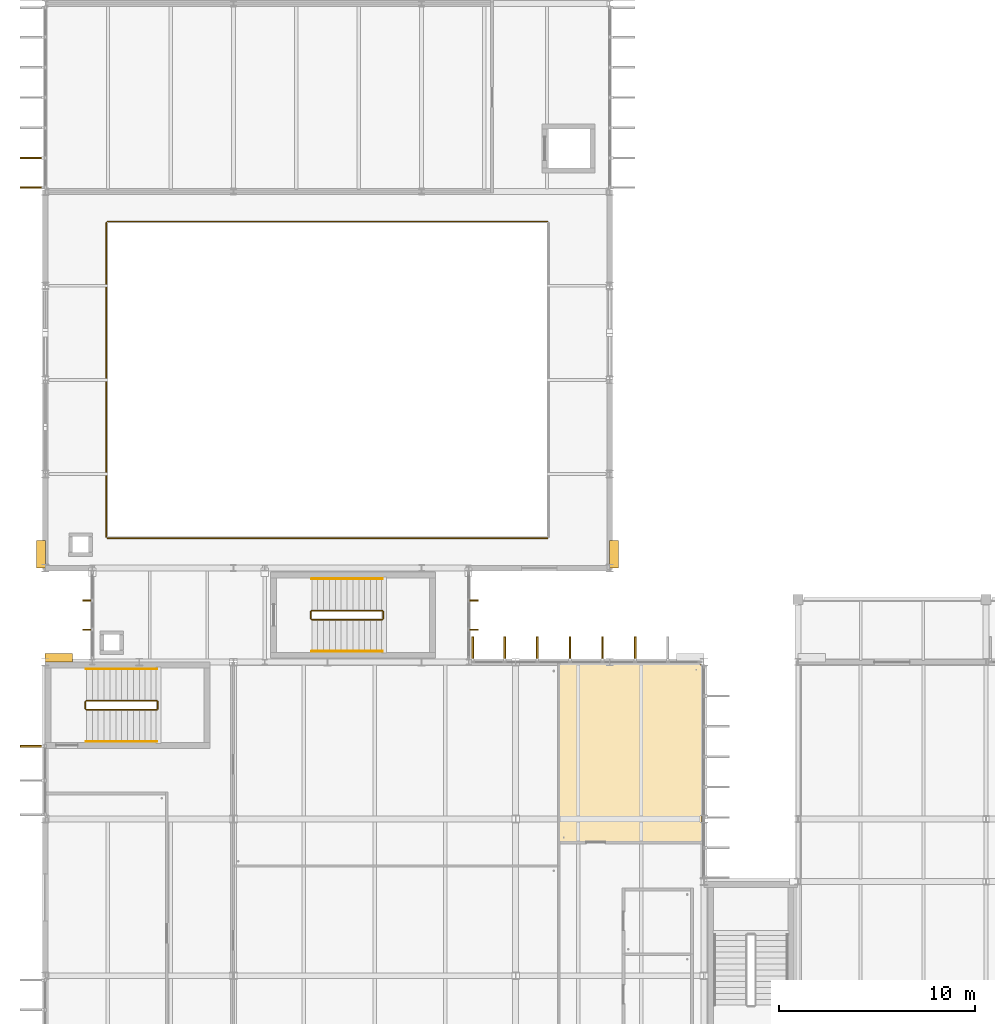
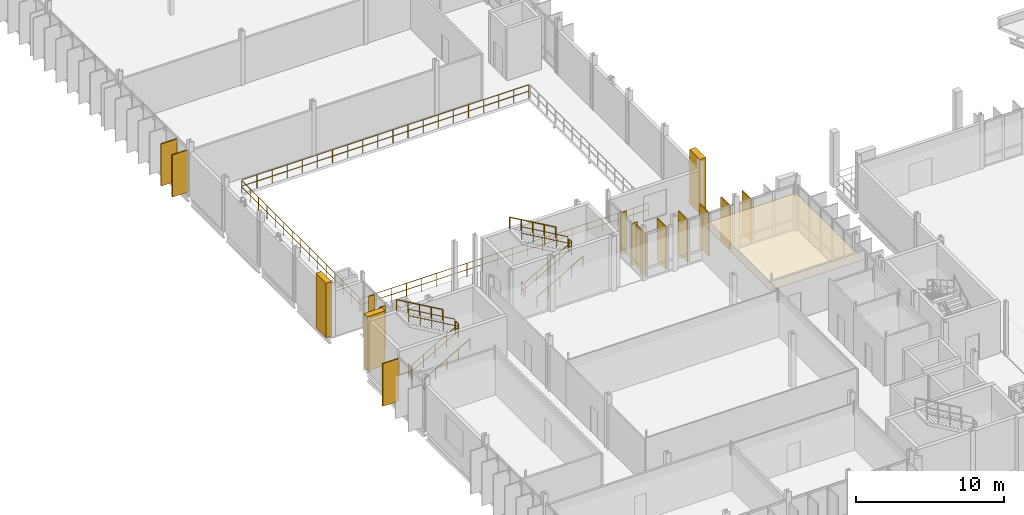
# One storey, part 100 of 107: 15 railings, 13 coverings, 4 shading devices.
"""IFC4 building model written with IfcOpenShell, lengths in metres."""

from ifc_helpers import new_model, si_unit, direction, frame, origin, origin_2d, place, context, subcontext, project, spatial, polyline, rectangle, circle, outline, extrude, material, layer, layer_set, type_object, element, save


model = new_model("IFC4")

# Units and contexts
model_context = context("Model", 3, precision=1e-05, world=origin(), true_north=direction((0.0, 1.0)))
body_context = subcontext(model_context, "Body", "Model", "MODEL_VIEW")
ifc_project = project(units=[si_unit("LENGTHUNIT", "METRE"), si_unit("AREAUNIT", "SQUARE_METRE"), si_unit("VOLUMEUNIT", "CUBIC_METRE"), si_unit("PLANEANGLEUNIT", "RADIAN"), si_unit("MASSUNIT", "GRAM", prefix="KILO")], contexts=[model_context])

# Site, building, storey
site_placement = place(None, origin())
site = spatial("IfcSite", under=ifc_project, at=site_placement, CompositionType="ELEMENT")
building_placement = place(site_placement, origin())
building = spatial("IfcBuilding", under=site, at=building_placement, Name="Dunescarp Central Library", CompositionType="ELEMENT")
storey_placement = place(building_placement, frame((0.0, 0.0, 5.10009765625)))
storey = spatial("IfcBuildingStorey", under=building, at=storey_placement, Name="L01", CompositionType="ELEMENT", Elevation=5.10009765625)

# Coverings
ifc_material_1 = material(Name="Mineral-fibre acoustic ceiling tile")
ifc_layer_1 = layer(ifc_material_1, 0.0400390625)
ifc_layer_set_1 = layer_set([ifc_layer_1], Name="Mineral-fibre acoustic ceiling tile")
covering_type_1 = type_object("IfcCoveringType", Name="ARC-COV-CEIL40", PredefinedType="CEILING", material=ifc_layer_set_1)
covering_1_placement = place(storey_placement, frame((0.0, 0.0, 3.0498046875)))
element("IfcCovering", 1, at=covering_1_placement, inside=storey, type_object=covering_type_1, Name="L01 ceiling Bibliographic Cataloguing Workroom", PredefinedType="CEILING", context=body_context, shape_type="SweptSolid", body=[
    extrude(outline(polyline([(26.179931640625, 27.580078125), (33.47998046875, 27.580078125), (33.47998046875, 36.679931640625), (26.179931640625, 36.679931640625), (26.179931640625, 27.580078125)])), origin(), (0.0, 0.0, 1.0), 0.0400390625),
])
ifc_material_2 = material(Name="Glass-fibre reinforced concrete GRC", Category="concrete")
ifc_layer_2 = layer(ifc_material_2, 0.090087890625)
ifc_layer_set_2 = layer_set([ifc_layer_2], Name="Glass-fibre reinforced concrete GRC")
covering_type_2 = type_object("IfcCoveringType", Name="ARC-COV-FIN1250", PredefinedType="CLADDING", material=ifc_layer_set_2)
covering_2_placement = place(storey_placement, frame((21.81494140625, 37.4619140625, 0.166748046875), z_axis=(0.0, 0.0, 1.0), x_axis=(0.0, 1.0, 0.0)))
element("IfcCovering", 2, at=covering_2_placement, inside=storey, type_object=covering_type_2, Name="L01 parametric vertical facade fin FIN-L01-0050", PredefinedType="CLADDING", context=body_context, shape_type="SweptSolid", body=[
    extrude(rectangle(XDim=1.25, YDim=0.090087890625, at=origin_2d()), origin(), (0.0, 0.0, 1.0), 3.51806640625),
])
covering_3_placement = place(storey_placement, frame((23.43896484375, 37.4619140625, 0.180419921875), z_axis=(0.0, 0.0, 1.0), x_axis=(0.0, 1.0, 0.0)))
element("IfcCovering", 3, at=covering_3_placement, inside=storey, type_object=covering_type_2, Name="L01 parametric vertical facade fin FIN-L01-0051", PredefinedType="CLADDING", context=body_context, shape_type="SweptSolid", body=[
    extrude(rectangle(XDim=1.25, YDim=0.090087890625, at=origin_2d()), origin(), (0.0, 0.0, 1.0), 3.5048828125),
])
covering_4_placement = place(storey_placement, frame((25.10400390625, 37.4619140625, 0.163330078125), z_axis=(0.0, 0.0, 1.0), x_axis=(0.0, 1.0, 0.0)))
element("IfcCovering", 4, at=covering_4_placement, inside=storey, type_object=covering_type_2, Name="L01 parametric vertical facade fin FIN-L01-0052", PredefinedType="CLADDING", context=body_context, shape_type="SweptSolid", body=[
    extrude(rectangle(XDim=1.25, YDim=0.090087890625, at=origin_2d()), origin(), (0.0, 0.0, 1.0), 3.52099609375),
])
covering_5_placement = place(storey_placement, frame((26.76806640625, 37.4619140625, 0.122802734375), z_axis=(0.0, 0.0, 1.0), x_axis=(0.0, 1.0, 0.0)))
element("IfcCovering", 5, at=covering_5_placement, inside=storey, type_object=covering_type_2, Name="L01 parametric vertical facade fin FIN-L01-0053", PredefinedType="CLADDING", context=body_context, shape_type="SweptSolid", body=[
    extrude(rectangle(XDim=1.25, YDim=0.090087890625, at=origin_2d()), origin(), (0.0, 0.0, 1.0), 3.56201171875),
])
covering_6_placement = place(storey_placement, frame((28.431884765625, 37.4619140625, 0.080078125), z_axis=(0.0, 0.0, 1.0), x_axis=(0.0, 1.0, 0.0)))
element("IfcCovering", 6, at=covering_6_placement, inside=storey, type_object=covering_type_2, Name="L01 parametric vertical facade fin FIN-L01-0054", PredefinedType="CLADDING", context=body_context, shape_type="SweptSolid", body=[
    extrude(rectangle(XDim=1.25, YDim=0.090087890625, at=origin_2d()), origin(), (0.0, 0.0, 1.0), 3.593994140625),
])
covering_7_placement = place(storey_placement, frame((30.095947265625, 37.4619140625, 0.079833984375), z_axis=(0.0, 0.0, 1.0), x_axis=(0.0, 1.0, 0.0)))
element("IfcCovering", 7, at=covering_7_placement, inside=storey, type_object=covering_type_2, Name="L01 parametric vertical facade fin FIN-L01-0055", PredefinedType="CLADDING", context=body_context, shape_type="SweptSolid", body=[
    extrude(rectangle(XDim=1.25, YDim=0.090087890625, at=origin_2d()), origin(), (0.0, 0.0, 1.0), 3.5439453125),
])
covering_8_placement = place(storey_placement, frame((-0.662109375, 32.510009765625, 0.163330078125), z_axis=(0.0, 0.0, 1.0), x_axis=(-1.0, 0.0, 0.0)))
element("IfcCovering", 8, at=covering_8_placement, inside=storey, type_object=covering_type_2, Name="L01 parametric vertical facade fin FIN-L01-0069", PredefinedType="CLADDING", context=body_context, shape_type="SweptSolid", body=[
    extrude(rectangle(XDim=1.25, YDim=0.090087890625, at=origin_2d()), origin(), (0.0, 0.0, 1.0), 3.52099609375),
])
covering_9_placement = place(storey_placement, frame((-0.662109375, 61.014892578125, 0.16748046875), z_axis=(0.0, 0.0, 1.0), x_axis=(-1.0, 0.0, 0.0)))
element("IfcCovering", 9, at=covering_9_placement, inside=storey, type_object=covering_type_2, Name="L01 parametric vertical facade fin FIN-L01-0783", PredefinedType="CLADDING", context=body_context, shape_type="SweptSolid", body=[
    extrude(rectangle(XDim=1.25, YDim=0.090087890625, at=origin_2d()), origin(), (0.0, 0.0, 1.0), 3.485107421875),
])
covering_10_placement = place(storey_placement, frame((-0.662109375, 62.51708984375, 0.18017578125), z_axis=(0.0, 0.0, 1.0), x_axis=(-1.0, 0.0, 0.0)))
element("IfcCovering", 10, at=covering_10_placement, inside=storey, type_object=covering_type_2, Name="L01 parametric vertical facade fin FIN-L01-0784", PredefinedType="CLADDING", context=body_context, shape_type="SweptSolid", body=[
    extrude(rectangle(XDim=1.25, YDim=0.090087890625, at=origin_2d()), origin(), (0.0, 0.0, 1.0), 3.471923828125),
])
ifc_layer_3 = layer(ifc_material_2, 0.449951171875)
ifc_layer_set_3 = layer_set([ifc_layer_3], Name="Glass-fibre reinforced concrete GRC")
covering_type_3 = type_object("IfcCoveringType", Name="ARC-COV-PORTAL", PredefinedType="CLADDING", material=ifc_layer_set_3)
for number, where, z_axis, x_axis, name in (
    (11, (-0.219970703125, 42.300048828125, 0.0), (0.0, 0.0, 1.0), (1.0, 0.0, 0.0), "V4 sculpted GRC portal pier PRT-BAND-V4-067"),
    (12, (29.02001953125, 42.300048828125, 0.0), (0.0, 0.0, 1.0), (1.0, 0.0, 0.0), "V4 sculpted GRC portal pier PRT-BAND-V4-068"),
):
    element("IfcCovering", number, at=place(storey_placement, frame(where, z_axis=z_axis, x_axis=x_axis)), inside=storey, type_object=covering_type_3, Name=name, PredefinedType="CLADDING", context=body_context, shape_type="SweptSolid", body=[
        extrude(rectangle(XDim=0.449951171875, YDim=1.39990234375, at=origin_2d()), origin(), (0.0, 0.0, 1.0), 4.5),
    ])
covering_11_placement = place(storey_placement, frame((0.699951171875, 37.02001953125, 0.0), z_axis=(0.0, 0.0, 1.0), x_axis=(1.0, 0.0, 0.0)))
element("IfcCovering", 13, at=covering_11_placement, inside=storey, type_object=covering_type_3, Name="V1 sculpted GRC portal pier PRT-BAND-V1-086", PredefinedType="CLADDING", context=body_context, shape_type="SweptSolid", body=[
    extrude(rectangle(XDim=1.39990234375, YDim=0.449951171875, at=origin_2d()), origin(), (0.0, 0.0, 1.0), 4.5),
])

# Railings
ifc_material_3 = material(Name="Stainless steel Grade 316L", Category="steel")
railing_type_1 = type_object("IfcRailingType", Name="ARC-RL-GUARD", PredefinedType="GUARDRAIL", material=ifc_material_3)
railing_1_placement = place(storey_placement, frame((2.10009765625, 34.3701171875, 0.173095703125)))
element("IfcRailing", 14, at=railing_1_placement, inside=storey, type_object=railing_type_1, Name="L01 ST-6 stair guard 1", PredefinedType="GUARDRAIL", context=body_context, shape_type="SweptSolid", body=[
    extrude(circle(Radius=0.02392578125, at=origin_2d()), frame((0.0, 0.0, 1.076171875), z_axis=(0.866178740119, 0.0, 0.499734319579), x_axis=(0.0, 1.0, 0.0)), (0.0, 0.0, 1.0), 4.156005859375),
    extrude(circle(Radius=0.02392578125, at=origin_2d()), frame((0.0, 0.0, 0.550048828125), z_axis=(0.866178740119, 0.0, 0.499734319579), x_axis=(0.0, 1.0, 0.0)), (0.0, 0.0, 1.0), 4.156005859375),
    extrude(circle(Radius=0.02099609375, at=origin_2d()), origin(), (0.0, 0.0, 1.0), 1.052001953125),
    extrude(circle(Radius=0.02099609375, at=origin_2d()), frame((0.89990234375, 0.0, 0.519287109375)), (0.0, 0.0, 1.0), 1.052001953125),
    extrude(circle(Radius=0.02099609375, at=origin_2d()), frame((1.7998046875, 0.0, 1.03857421875)), (0.0, 0.0, 1.0), 1.052001953125),
    extrude(circle(Radius=0.02099609375, at=origin_2d()), frame((2.699951171875, 0.0, 1.5576171875)), (0.0, 0.0, 1.0), 1.052001953125),
    extrude(circle(Radius=0.02099609375, at=origin_2d()), frame((3.599853515625, 0.0, 2.076904296875)), (0.0, 0.0, 1.0), 1.052001953125),
])
railing_2_placement = place(storey_placement, frame((5.75, 34.419921875, 2.25)))
element("IfcRailing", 15, at=railing_2_placement, inside=storey, type_object=railing_type_1, Name="L01 ST-6 stair guard 2", PredefinedType="GUARDRAIL", context=body_context, shape_type="SweptSolid", body=[
    extrude(circle(Radius=0.02392578125, at=origin_2d()), frame((0.0, 0.0, 1.076171875), z_axis=(0.0, 1.0, 0.0), x_axis=(-1.0, 0.0, 0.0)), (0.0, 0.0, 1.0), 0.360107421875),
    extrude(circle(Radius=0.02392578125, at=origin_2d()), frame((0.0, 0.0, 0.550048828125), z_axis=(0.0, 1.0, 0.0), x_axis=(-1.0, 0.0, 0.0)), (0.0, 0.0, 1.0), 0.360107421875),
    extrude(circle(Radius=0.02099609375, at=origin_2d()), origin(), (0.0, 0.0, 1.0), 1.052001953125),
    extrude(circle(Radius=0.02099609375, at=origin_2d()), frame((0.0, 0.360107421875, 0.0)), (0.0, 0.0, 1.0), 1.052001953125),
])
railing_3_placement = place(storey_placement, frame((5.699951171875, 34.830078125, 2.423095703125)))
element("IfcRailing", 16, at=railing_3_placement, inside=storey, type_object=railing_type_1, Name="L01 ST-6 stair guard 3", PredefinedType="GUARDRAIL", context=body_context, shape_type="SweptSolid", body=[
    extrude(circle(Radius=0.02392578125, at=origin_2d()), frame((0.0, 0.0, 1.076171875), z_axis=(-0.866178740119, 0.0, 0.499734319579), x_axis=(0.0, -1.0, 0.0)), (0.0, 0.0, 1.0), 4.156005859375),
    extrude(circle(Radius=0.02392578125, at=origin_2d()), frame((0.0, 0.0, 0.550048828125), z_axis=(-0.866178740119, 0.0, 0.499734319579), x_axis=(0.0, -1.0, 0.0)), (0.0, 0.0, 1.0), 4.156005859375),
    extrude(circle(Radius=0.02099609375, at=origin_2d()), origin(), (0.0, 0.0, 1.0), 1.052001953125),
    extrude(circle(Radius=0.02099609375, at=origin_2d()), frame((-0.89990234375, 0.0, 0.519287109375)), (0.0, 0.0, 1.0), 1.052001953125),
    extrude(circle(Radius=0.02099609375, at=origin_2d()), frame((-1.7998046875, 0.0, 1.03857421875)), (0.0, 0.0, 1.0), 1.052001953125),
    extrude(circle(Radius=0.02099609375, at=origin_2d()), frame((-2.699951171875, 0.0, 1.5576171875)), (0.0, 0.0, 1.0), 1.052001953125),
    extrude(circle(Radius=0.02099609375, at=origin_2d()), frame((-3.599853515625, 0.0, 2.076904296875)), (0.0, 0.0, 1.0), 1.052001953125),
])
railing_4_placement = place(storey_placement, frame((2.050048828125, 34.419921875, 0.0)))
element("IfcRailing", 17, at=railing_4_placement, inside=storey, type_object=railing_type_1, Name="L01 ST-6 stair guard 4", PredefinedType="GUARDRAIL", context=body_context, shape_type="SweptSolid", body=[
    extrude(circle(Radius=0.02392578125, at=origin_2d()), frame((0.0, 0.0, 1.076171875), z_axis=(0.0, 1.0, 0.0), x_axis=(-1.0, 0.0, 0.0)), (0.0, 0.0, 1.0), 0.360107421875),
    extrude(circle(Radius=0.02392578125, at=origin_2d()), frame((0.0, 0.0, 0.550048828125), z_axis=(0.0, 1.0, 0.0), x_axis=(-1.0, 0.0, 0.0)), (0.0, 0.0, 1.0), 0.360107421875),
    extrude(circle(Radius=0.02099609375, at=origin_2d()), origin(), (0.0, 0.0, 1.0), 1.052001953125),
    extrude(circle(Radius=0.02099609375, at=origin_2d()), frame((0.0, 0.360107421875, 0.0)), (0.0, 0.0, 1.0), 1.052001953125),
])
railing_5_placement = place(storey_placement, frame((13.60009765625, 38.969970703125, 0.173095703125)))
element("IfcRailing", 18, at=railing_5_placement, inside=storey, type_object=railing_type_1, Name="L01 ST-4 stair guard 1", PredefinedType="GUARDRAIL", context=body_context, shape_type="SweptSolid", body=[
    extrude(circle(Radius=0.02392578125, at=origin_2d()), frame((0.0, 0.0, 1.076171875), z_axis=(0.866178740119, 0.0, 0.499734319579), x_axis=(0.0, 1.0, 0.0)), (0.0, 0.0, 1.0), 4.156005859375),
    extrude(circle(Radius=0.02392578125, at=origin_2d()), frame((0.0, 0.0, 0.550048828125), z_axis=(0.866178740119, 0.0, 0.499734319579), x_axis=(0.0, 1.0, 0.0)), (0.0, 0.0, 1.0), 4.156005859375),
    extrude(circle(Radius=0.02099609375, at=origin_2d()), origin(), (0.0, 0.0, 1.0), 1.052001953125),
    extrude(circle(Radius=0.02099609375, at=origin_2d()), frame((0.89990234375, 0.0, 0.519287109375)), (0.0, 0.0, 1.0), 1.052001953125),
    extrude(circle(Radius=0.02099609375, at=origin_2d()), frame((1.7998046875, 0.0, 1.03857421875)), (0.0, 0.0, 1.0), 1.052001953125),
    extrude(circle(Radius=0.02099609375, at=origin_2d()), frame((2.699951171875, 0.0, 1.5576171875)), (0.0, 0.0, 1.0), 1.052001953125),
    extrude(circle(Radius=0.02099609375, at=origin_2d()), frame((3.599853515625, 0.0, 2.076904296875)), (0.0, 0.0, 1.0), 1.052001953125),
])
railing_6_placement = place(storey_placement, frame((17.25, 39.02001953125, 2.25)))
element("IfcRailing", 19, at=railing_6_placement, inside=storey, type_object=railing_type_1, Name="L01 ST-4 stair guard 2", PredefinedType="GUARDRAIL", context=body_context, shape_type="SweptSolid", body=[
    extrude(circle(Radius=0.02392578125, at=origin_2d()), frame((0.0, 0.0, 1.076171875), z_axis=(0.0, 1.0, 0.0), x_axis=(-1.0, 0.0, 0.0)), (0.0, 0.0, 1.0), 0.35986328125),
    extrude(circle(Radius=0.02392578125, at=origin_2d()), frame((0.0, 0.0, 0.550048828125), z_axis=(0.0, 1.0, 0.0), x_axis=(-1.0, 0.0, 0.0)), (0.0, 0.0, 1.0), 0.35986328125),
    extrude(circle(Radius=0.02099609375, at=origin_2d()), origin(), (0.0, 0.0, 1.0), 1.052001953125),
    extrude(circle(Radius=0.02099609375, at=origin_2d()), frame((0.0, 0.35986328125, 0.0)), (0.0, 0.0, 1.0), 1.052001953125),
])
railing_7_placement = place(storey_placement, frame((17.199951171875, 39.429931640625, 2.423095703125)))
element("IfcRailing", 20, at=railing_7_placement, inside=storey, type_object=railing_type_1, Name="L01 ST-4 stair guard 3", PredefinedType="GUARDRAIL", context=body_context, shape_type="SweptSolid", body=[
    extrude(circle(Radius=0.02392578125, at=origin_2d()), frame((0.0, 0.0, 1.076171875), z_axis=(-0.866178740119, 0.0, 0.499734319579), x_axis=(0.0, -1.0, 0.0)), (0.0, 0.0, 1.0), 4.156005859375),
    extrude(circle(Radius=0.02392578125, at=origin_2d()), frame((0.0, 0.0, 0.550048828125), z_axis=(-0.866178740119, 0.0, 0.499734319579), x_axis=(0.0, -1.0, 0.0)), (0.0, 0.0, 1.0), 4.156005859375),
    extrude(circle(Radius=0.02099609375, at=origin_2d()), origin(), (0.0, 0.0, 1.0), 1.052001953125),
    extrude(circle(Radius=0.02099609375, at=origin_2d()), frame((-0.89990234375, 0.0, 0.519287109375)), (0.0, 0.0, 1.0), 1.052001953125),
    extrude(circle(Radius=0.02099609375, at=origin_2d()), frame((-1.7998046875, 0.0, 1.03857421875)), (0.0, 0.0, 1.0), 1.052001953125),
    extrude(circle(Radius=0.02099609375, at=origin_2d()), frame((-2.699951171875, 0.0, 1.5576171875)), (0.0, 0.0, 1.0), 1.052001953125),
    extrude(circle(Radius=0.02099609375, at=origin_2d()), frame((-3.599853515625, 0.0, 2.076904296875)), (0.0, 0.0, 1.0), 1.052001953125),
])
railing_8_placement = place(storey_placement, frame((13.550048828125, 39.02001953125, 0.0)))
element("IfcRailing", 21, at=railing_8_placement, inside=storey, type_object=railing_type_1, Name="L01 ST-4 stair guard 4", PredefinedType="GUARDRAIL", context=body_context, shape_type="SweptSolid", body=[
    extrude(circle(Radius=0.02392578125, at=origin_2d()), frame((0.0, 0.0, 1.076171875), z_axis=(0.0, 1.0, 0.0), x_axis=(-1.0, 0.0, 0.0)), (0.0, 0.0, 1.0), 0.35986328125),
    extrude(circle(Radius=0.02392578125, at=origin_2d()), frame((0.0, 0.0, 0.550048828125), z_axis=(0.0, 1.0, 0.0), x_axis=(-1.0, 0.0, 0.0)), (0.0, 0.0, 1.0), 0.35986328125),
    extrude(circle(Radius=0.02099609375, at=origin_2d()), origin(), (0.0, 0.0, 1.0), 1.052001953125),
    extrude(circle(Radius=0.02099609375, at=origin_2d()), frame((0.0, 0.35986328125, 0.0)), (0.0, 0.0, 1.0), 1.052001953125),
])
railing_9_placement = place(storey_placement, frame((3.179931640625, 43.1201171875, 0.0)))
element("IfcRailing", 22, at=railing_9_placement, inside=storey, type_object=railing_type_1, Name="L01 void guardrail GRD-AUD-L01-S", PredefinedType="GUARDRAIL", context=body_context, shape_type="SweptSolid", body=[
    extrude(circle(Radius=0.02392578125, at=origin_2d()), frame((0.0, 0.0, 1.076171875), z_axis=(1.0, 0.0, 0.0), x_axis=(0.0, 1.0, 0.0)), (0.0, 0.0, 1.0), 22.440185546875),
    extrude(circle(Radius=0.02392578125, at=origin_2d()), frame((0.0, 0.0, 0.550048828125), z_axis=(1.0, 0.0, 0.0), x_axis=(0.0, 1.0, 0.0)), (0.0, 0.0, 1.0), 22.440185546875),
    extrude(circle(Radius=0.02099609375, at=origin_2d()), origin(), (0.0, 0.0, 1.0), 1.052001953125),
    extrude(circle(Radius=0.02099609375, at=origin_2d()), frame((1.18115234375, 0.0, 0.0)), (0.0, 0.0, 1.0), 1.052001953125),
    extrude(circle(Radius=0.02099609375, at=origin_2d()), frame((2.362060546875, 0.0, 0.0)), (0.0, 0.0, 1.0), 1.052001953125),
    extrude(circle(Radius=0.02099609375, at=origin_2d()), frame((3.543212890625, 0.0, 0.0)), (0.0, 0.0, 1.0), 1.052001953125),
    extrude(circle(Radius=0.02099609375, at=origin_2d()), frame((4.724365234375, 0.0, 0.0)), (0.0, 0.0, 1.0), 1.052001953125),
    extrude(circle(Radius=0.02099609375, at=origin_2d()), frame((5.9052734375, 0.0, 0.0)), (0.0, 0.0, 1.0), 1.052001953125),
    extrude(circle(Radius=0.02099609375, at=origin_2d()), frame((7.08642578125, 0.0, 0.0)), (0.0, 0.0, 1.0), 1.052001953125),
    extrude(circle(Radius=0.02099609375, at=origin_2d()), frame((8.267333984375, 0.0, 0.0)), (0.0, 0.0, 1.0), 1.052001953125),
    extrude(circle(Radius=0.02099609375, at=origin_2d()), frame((9.448486328125, 0.0, 0.0)), (0.0, 0.0, 1.0), 1.052001953125),
    extrude(circle(Radius=0.02099609375, at=origin_2d()), frame((10.629638671875, 0.0, 0.0)), (0.0, 0.0, 1.0), 1.052001953125),
    extrude(circle(Radius=0.02099609375, at=origin_2d()), frame((11.810546875, 0.0, 0.0)), (0.0, 0.0, 1.0), 1.052001953125),
    extrude(circle(Radius=0.02099609375, at=origin_2d()), frame((12.99169921875, 0.0, 0.0)), (0.0, 0.0, 1.0), 1.052001953125),
    extrude(circle(Radius=0.02099609375, at=origin_2d()), frame((14.1728515625, 0.0, 0.0)), (0.0, 0.0, 1.0), 1.052001953125),
    extrude(circle(Radius=0.02099609375, at=origin_2d()), frame((15.353759765625, 0.0, 0.0)), (0.0, 0.0, 1.0), 1.052001953125),
    extrude(circle(Radius=0.02099609375, at=origin_2d()), frame((16.534912109375, 0.0, 0.0)), (0.0, 0.0, 1.0), 1.052001953125),
    extrude(circle(Radius=0.02099609375, at=origin_2d()), frame((17.7158203125, 0.0, 0.0)), (0.0, 0.0, 1.0), 1.052001953125),
    extrude(circle(Radius=0.02099609375, at=origin_2d()), frame((18.89697265625, 0.0, 0.0)), (0.0, 0.0, 1.0), 1.052001953125),
    extrude(circle(Radius=0.02099609375, at=origin_2d()), frame((20.078125, 0.0, 0.0)), (0.0, 0.0, 1.0), 1.052001953125),
    extrude(circle(Radius=0.02099609375, at=origin_2d()), frame((21.259033203125, 0.0, 0.0)), (0.0, 0.0, 1.0), 1.052001953125),
    extrude(circle(Radius=0.02099609375, at=origin_2d()), frame((22.440185546875, 0.0, 0.0)), (0.0, 0.0, 1.0), 1.052001953125),
])
railing_10_placement = place(storey_placement, frame((25.6201171875, 59.280029296875, 0.0)))
element("IfcRailing", 23, at=railing_10_placement, inside=storey, type_object=railing_type_1, Name="L01 void guardrail GRD-AUD-L01-N", PredefinedType="GUARDRAIL", context=body_context, shape_type="SweptSolid", body=[
    extrude(circle(Radius=0.02392578125, at=origin_2d()), frame((0.0, 0.0, 1.076171875), z_axis=(-1.0, 0.0, 0.0), x_axis=(0.0, -1.0, 0.0)), (0.0, 0.0, 1.0), 22.440185546875),
    extrude(circle(Radius=0.02392578125, at=origin_2d()), frame((0.0, 0.0, 0.550048828125), z_axis=(-1.0, 0.0, 0.0), x_axis=(0.0, -1.0, 0.0)), (0.0, 0.0, 1.0), 22.440185546875),
    extrude(circle(Radius=0.02099609375, at=origin_2d()), origin(), (0.0, 0.0, 1.0), 1.052001953125),
    extrude(circle(Radius=0.02099609375, at=origin_2d()), frame((-1.18115234375, 0.0, 0.0)), (0.0, 0.0, 1.0), 1.052001953125),
    extrude(circle(Radius=0.02099609375, at=origin_2d()), frame((-2.362060546875, 0.0, 0.0)), (0.0, 0.0, 1.0), 1.052001953125),
    extrude(circle(Radius=0.02099609375, at=origin_2d()), frame((-3.543212890625, 0.0, 0.0)), (0.0, 0.0, 1.0), 1.052001953125),
    extrude(circle(Radius=0.02099609375, at=origin_2d()), frame((-4.724365234375, 0.0, 0.0)), (0.0, 0.0, 1.0), 1.052001953125),
    extrude(circle(Radius=0.02099609375, at=origin_2d()), frame((-5.9052734375, 0.0, 0.0)), (0.0, 0.0, 1.0), 1.052001953125),
    extrude(circle(Radius=0.02099609375, at=origin_2d()), frame((-7.08642578125, 0.0, 0.0)), (0.0, 0.0, 1.0), 1.052001953125),
    extrude(circle(Radius=0.02099609375, at=origin_2d()), frame((-8.267333984375, 0.0, 0.0)), (0.0, 0.0, 1.0), 1.052001953125),
    extrude(circle(Radius=0.02099609375, at=origin_2d()), frame((-9.448486328125, 0.0, 0.0)), (0.0, 0.0, 1.0), 1.052001953125),
    extrude(circle(Radius=0.02099609375, at=origin_2d()), frame((-10.629638671875, 0.0, 0.0)), (0.0, 0.0, 1.0), 1.052001953125),
    extrude(circle(Radius=0.02099609375, at=origin_2d()), frame((-11.810546875, 0.0, 0.0)), (0.0, 0.0, 1.0), 1.052001953125),
    extrude(circle(Radius=0.02099609375, at=origin_2d()), frame((-12.99169921875, 0.0, 0.0)), (0.0, 0.0, 1.0), 1.052001953125),
    extrude(circle(Radius=0.02099609375, at=origin_2d()), frame((-14.1728515625, 0.0, 0.0)), (0.0, 0.0, 1.0), 1.052001953125),
    extrude(circle(Radius=0.02099609375, at=origin_2d()), frame((-15.353759765625, 0.0, 0.0)), (0.0, 0.0, 1.0), 1.052001953125),
    extrude(circle(Radius=0.02099609375, at=origin_2d()), frame((-16.534912109375, 0.0, 0.0)), (0.0, 0.0, 1.0), 1.052001953125),
    extrude(circle(Radius=0.02099609375, at=origin_2d()), frame((-17.7158203125, 0.0, 0.0)), (0.0, 0.0, 1.0), 1.052001953125),
    extrude(circle(Radius=0.02099609375, at=origin_2d()), frame((-18.89697265625, 0.0, 0.0)), (0.0, 0.0, 1.0), 1.052001953125),
    extrude(circle(Radius=0.02099609375, at=origin_2d()), frame((-20.078125, 0.0, 0.0)), (0.0, 0.0, 1.0), 1.052001953125),
    extrude(circle(Radius=0.02099609375, at=origin_2d()), frame((-21.259033203125, 0.0, 0.0)), (0.0, 0.0, 1.0), 1.052001953125),
    extrude(circle(Radius=0.02099609375, at=origin_2d()), frame((-22.440185546875, 0.0, 0.0)), (0.0, 0.0, 1.0), 1.052001953125),
])
railing_11_placement = place(storey_placement, frame((3.1201171875, 59.219970703125, 0.0)))
element("IfcRailing", 24, at=railing_11_placement, inside=storey, type_object=railing_type_1, Name="L01 void guardrail GRD-AUD-L01-W", PredefinedType="GUARDRAIL", context=body_context, shape_type="SweptSolid", body=[
    extrude(circle(Radius=0.02392578125, at=origin_2d()), frame((0.0, 0.0, 1.076171875), z_axis=(0.0, -1.0, 0.0), x_axis=(1.0, 0.0, 0.0)), (0.0, 0.0, 1.0), 16.0400390625),
    extrude(circle(Radius=0.02392578125, at=origin_2d()), frame((0.0, 0.0, 0.550048828125), z_axis=(0.0, -1.0, 0.0), x_axis=(1.0, 0.0, 0.0)), (0.0, 0.0, 1.0), 16.0400390625),
    extrude(circle(Radius=0.02099609375, at=origin_2d()), origin(), (0.0, 0.0, 1.0), 1.052001953125),
    extrude(circle(Radius=0.02099609375, at=origin_2d()), frame((0.0, -1.145751953125, 0.0)), (0.0, 0.0, 1.0), 1.052001953125),
    extrude(circle(Radius=0.02099609375, at=origin_2d()), frame((0.0, -2.29150390625, 0.0)), (0.0, 0.0, 1.0), 1.052001953125),
    extrude(circle(Radius=0.02099609375, at=origin_2d()), frame((0.0, -3.437255859375, 0.0)), (0.0, 0.0, 1.0), 1.052001953125),
    extrude(circle(Radius=0.02099609375, at=origin_2d()), frame((0.0, -4.582763671875, 0.0)), (0.0, 0.0, 1.0), 1.052001953125),
    extrude(circle(Radius=0.02099609375, at=origin_2d()), frame((0.0, -5.728515625, 0.0)), (0.0, 0.0, 1.0), 1.052001953125),
    extrude(circle(Radius=0.02099609375, at=origin_2d()), frame((0.0, -6.874267578125, 0.0)), (0.0, 0.0, 1.0), 1.052001953125),
    extrude(circle(Radius=0.02099609375, at=origin_2d()), frame((0.0, -8.02001953125, 0.0)), (0.0, 0.0, 1.0), 1.052001953125),
    extrude(circle(Radius=0.02099609375, at=origin_2d()), frame((0.0, -9.165771484375, 0.0)), (0.0, 0.0, 1.0), 1.052001953125),
    extrude(circle(Radius=0.02099609375, at=origin_2d()), frame((0.0, -10.3115234375, 0.0)), (0.0, 0.0, 1.0), 1.052001953125),
    extrude(circle(Radius=0.02099609375, at=origin_2d()), frame((0.0, -11.457275390625, 0.0)), (0.0, 0.0, 1.0), 1.052001953125),
    extrude(circle(Radius=0.02099609375, at=origin_2d()), frame((0.0, -12.602783203125, 0.0)), (0.0, 0.0, 1.0), 1.052001953125),
    extrude(circle(Radius=0.02099609375, at=origin_2d()), frame((0.0, -13.74853515625, 0.0)), (0.0, 0.0, 1.0), 1.052001953125),
    extrude(circle(Radius=0.02099609375, at=origin_2d()), frame((0.0, -14.894287109375, 0.0)), (0.0, 0.0, 1.0), 1.052001953125),
    extrude(circle(Radius=0.02099609375, at=origin_2d()), frame((0.0, -16.0400390625, 0.0)), (0.0, 0.0, 1.0), 1.052001953125),
])
railing_type_2 = type_object("IfcRailingType", Name="ARC-RL-HAND", PredefinedType="HANDRAIL", material=ifc_material_3)
railing_12_placement = place(storey_placement, frame((2.10009765625, 32.75, 0.173095703125)))
element("IfcRailing", 25, at=railing_12_placement, inside=storey, type_object=railing_type_2, Name="L01 ST-6 stair handrail 1", PredefinedType="HANDRAIL", context=body_context, shape_type="SweptSolid", body=[
    extrude(circle(Radius=0.02392578125, at=origin_2d()), frame((0.0, 0.0, 0.8857421875), z_axis=(0.866178740119, 0.0, 0.499734319579), x_axis=(0.0, 1.0, 0.0)), (0.0, 0.0, 1.0), 4.156005859375),
    extrude(circle(Radius=0.02099609375, at=origin_2d()), origin(), (0.0, 0.0, 1.0), 0.86181640625),
    extrude(circle(Radius=0.02099609375, at=origin_2d()), frame((0.89990234375, 0.0, 0.519287109375)), (0.0, 0.0, 1.0), 0.86181640625),
    extrude(circle(Radius=0.02099609375, at=origin_2d()), frame((1.7998046875, 0.0, 1.03857421875)), (0.0, 0.0, 1.0), 0.86181640625),
    extrude(circle(Radius=0.02099609375, at=origin_2d()), frame((2.699951171875, 0.0, 1.5576171875)), (0.0, 0.0, 1.0), 0.86181640625),
    extrude(circle(Radius=0.02099609375, at=origin_2d()), frame((3.599853515625, 0.0, 2.076904296875)), (0.0, 0.0, 1.0), 0.86181640625),
])
railing_13_placement = place(storey_placement, frame((5.699951171875, 36.449951171875, 2.423095703125)))
element("IfcRailing", 26, at=railing_13_placement, inside=storey, type_object=railing_type_2, Name="L01 ST-6 stair handrail 2", PredefinedType="HANDRAIL", context=body_context, shape_type="SweptSolid", body=[
    extrude(circle(Radius=0.02392578125, at=origin_2d()), frame((0.0, 0.0, 0.8857421875), z_axis=(-0.866178740119, 0.0, 0.499734319579), x_axis=(0.0, -1.0, 0.0)), (0.0, 0.0, 1.0), 4.156005859375),
    extrude(circle(Radius=0.02099609375, at=origin_2d()), origin(), (0.0, 0.0, 1.0), 0.86181640625),
    extrude(circle(Radius=0.02099609375, at=origin_2d()), frame((-0.89990234375, 0.0, 0.519287109375)), (0.0, 0.0, 1.0), 0.86181640625),
    extrude(circle(Radius=0.02099609375, at=origin_2d()), frame((-1.7998046875, 0.0, 1.03857421875)), (0.0, 0.0, 1.0), 0.86181640625),
    extrude(circle(Radius=0.02099609375, at=origin_2d()), frame((-2.699951171875, 0.0, 1.5576171875)), (0.0, 0.0, 1.0), 0.86181640625),
    extrude(circle(Radius=0.02099609375, at=origin_2d()), frame((-3.599853515625, 0.0, 2.076904296875)), (0.0, 0.0, 1.0), 0.86181640625),
])
railing_14_placement = place(storey_placement, frame((13.60009765625, 37.35009765625, 0.173095703125)))
element("IfcRailing", 27, at=railing_14_placement, inside=storey, type_object=railing_type_2, Name="L01 ST-4 stair handrail 1", PredefinedType="HANDRAIL", context=body_context, shape_type="SweptSolid", body=[
    extrude(circle(Radius=0.02392578125, at=origin_2d()), frame((0.0, 0.0, 0.8857421875), z_axis=(0.866178740119, 0.0, 0.499734319579), x_axis=(0.0, 1.0, 0.0)), (0.0, 0.0, 1.0), 4.156005859375),
    extrude(circle(Radius=0.02099609375, at=origin_2d()), origin(), (0.0, 0.0, 1.0), 0.86181640625),
    extrude(circle(Radius=0.02099609375, at=origin_2d()), frame((0.89990234375, 0.0, 0.519287109375)), (0.0, 0.0, 1.0), 0.86181640625),
    extrude(circle(Radius=0.02099609375, at=origin_2d()), frame((1.7998046875, 0.0, 1.03857421875)), (0.0, 0.0, 1.0), 0.86181640625),
    extrude(circle(Radius=0.02099609375, at=origin_2d()), frame((2.699951171875, 0.0, 1.5576171875)), (0.0, 0.0, 1.0), 0.86181640625),
    extrude(circle(Radius=0.02099609375, at=origin_2d()), frame((3.599853515625, 0.0, 2.076904296875)), (0.0, 0.0, 1.0), 0.86181640625),
])
railing_15_placement = place(storey_placement, frame((17.199951171875, 41.050048828125, 2.423095703125)))
element("IfcRailing", 28, at=railing_15_placement, inside=storey, type_object=railing_type_2, Name="L01 ST-4 stair handrail 2", PredefinedType="HANDRAIL", context=body_context, shape_type="SweptSolid", body=[
    extrude(circle(Radius=0.02392578125, at=origin_2d()), frame((0.0, 0.0, 0.8857421875), z_axis=(-0.866178740119, 0.0, 0.499734319579), x_axis=(0.0, -1.0, 0.0)), (0.0, 0.0, 1.0), 4.156005859375),
    extrude(circle(Radius=0.02099609375, at=origin_2d()), origin(), (0.0, 0.0, 1.0), 0.86181640625),
    extrude(circle(Radius=0.02099609375, at=origin_2d()), frame((-0.89990234375, 0.0, 0.519287109375)), (0.0, 0.0, 1.0), 0.86181640625),
    extrude(circle(Radius=0.02099609375, at=origin_2d()), frame((-1.7998046875, 0.0, 1.03857421875)), (0.0, 0.0, 1.0), 0.86181640625),
    extrude(circle(Radius=0.02099609375, at=origin_2d()), frame((-2.699951171875, 0.0, 1.5576171875)), (0.0, 0.0, 1.0), 0.86181640625),
    extrude(circle(Radius=0.02099609375, at=origin_2d()), frame((-3.599853515625, 0.0, 2.076904296875)), (0.0, 0.0, 1.0), 0.86181640625),
])

# Shading devices
ifc_material_4 = material(Name="Marine-grade anodised aluminium 6063-T6", Category="aluminium")
ifc_layer_4 = layer(ifc_material_4, 0.06005859375)
ifc_layer_set_4 = layer_set([ifc_layer_4], Name="Marine-grade anodised aluminium 6063-T6")
shading_device_type = type_object("IfcShadingDeviceType", Name="ARC-SHD-FIN", PredefinedType="USERDEFINED", material=ifc_layer_set_4)
for number, where, z_axis, x_axis, name in (
    (29, (2.138916015625, 38.4580078125, 0.1494140625), (0.0, 0.0, 1.0), (-1.0, 0.0, 0.0), "L01 link sunshade fin SHDF-L01-1118"),
    (30, (2.138916015625, 39.94189453125, 0.1494140625), (0.0, 0.0, 1.0), (-1.0, 0.0, 0.0), "L01 link sunshade fin SHDF-L01-1119"),
    (31, (21.861083984375, 39.94189453125, 0.1494140625), (0.0, 0.0, 1.0), (1.0, 0.0, 0.0), "L01 link sunshade fin SHDF-L01-1120"),
    (32, (21.861083984375, 38.4580078125, 0.1494140625), (0.0, 0.0, 1.0), (1.0, 0.0, 0.0), "L01 link sunshade fin SHDF-L01-1121"),
):
    element("IfcShadingDevice", number, at=place(storey_placement, frame(where, z_axis=z_axis, x_axis=x_axis)), inside=storey, type_object=shading_device_type, Name=name, ObjectType="FIN", PredefinedType="USERDEFINED", context=body_context, shape_type="SweptSolid", body=[
        extrude(rectangle(XDim=0.449951171875, YDim=0.06005859375, at=origin_2d()), origin(), (0.0, 0.0, 1.0), 3.465087890625),
    ])

save(model, "model.ifc")
